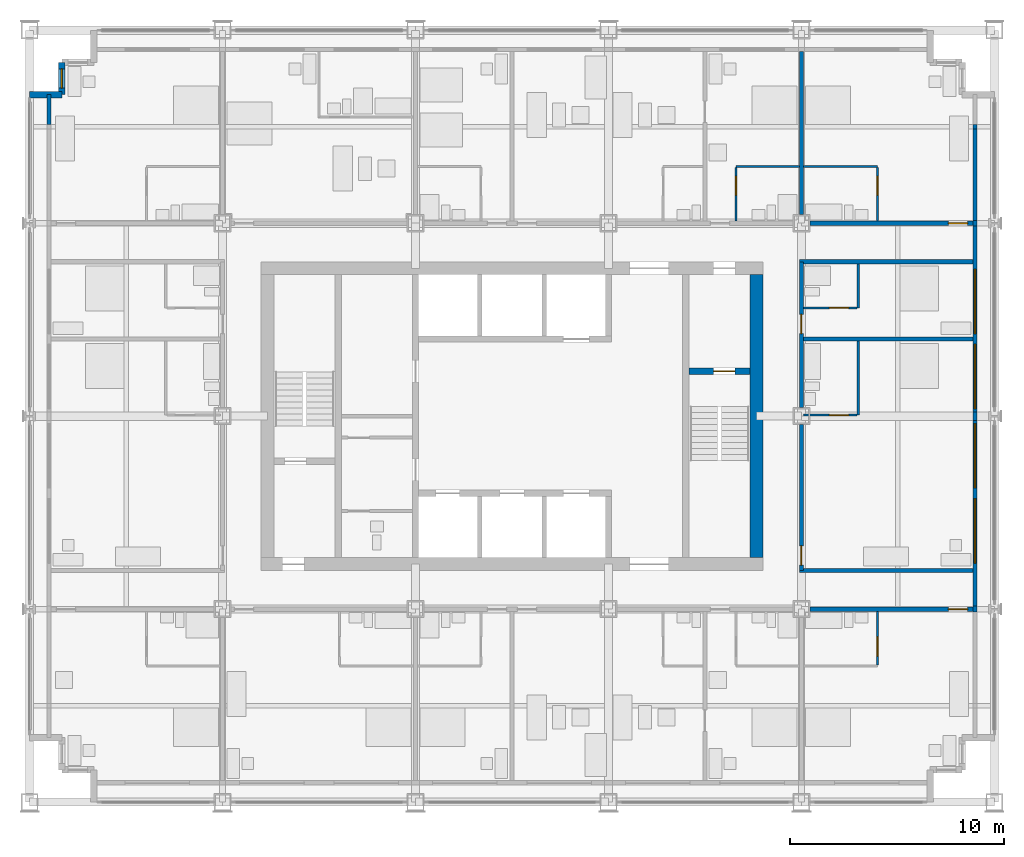
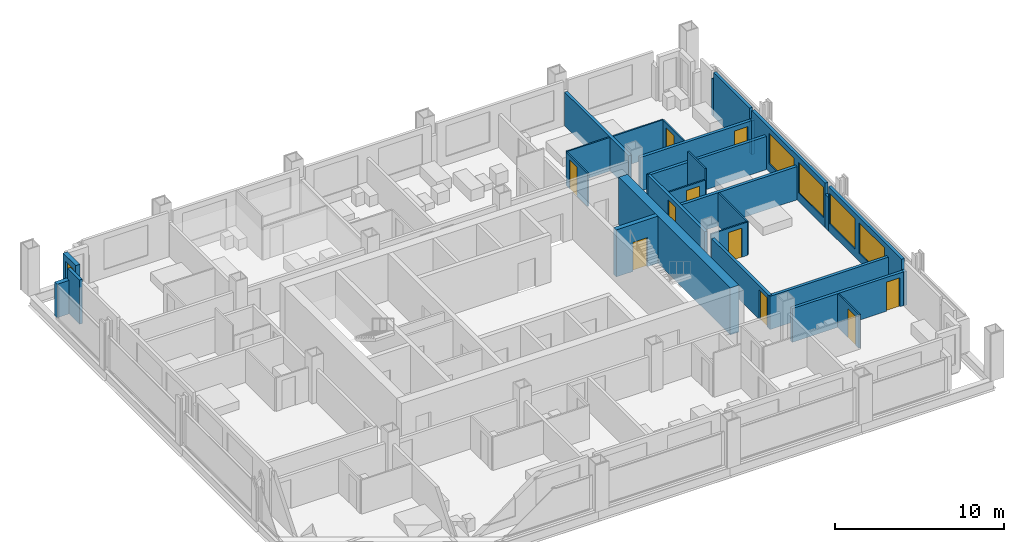
# One storey, part 12 of 16: 29 walls, 10 doors, 5 windows, 15 openings.
"""IFC4 building model written with IfcOpenShell, lengths in metres."""

from ifc_helpers import new_model, si_unit, direction, frame, frame_2d, origin, place, context, subcontext, project, spatial, rectangle, extrude, material, layer, layer_set, type_object, element, fill, save


model = new_model("IFC4")

# Units and contexts
model_context = context("Model", 3, precision=1e-05, world=origin(), true_north=direction((0.0, 1.0)))
body_context = subcontext(model_context, "Body", "Model", "MODEL_VIEW")
ifc_project = project(units=[si_unit("LENGTHUNIT", "METRE"), si_unit("AREAUNIT", "SQUARE_METRE"), si_unit("VOLUMEUNIT", "CUBIC_METRE"), si_unit("PLANEANGLEUNIT", "RADIAN"), si_unit("MASSUNIT", "GRAM", prefix="KILO")], contexts=[model_context])

# Site, building, storey
site_placement = place(None, origin())
site = spatial("IfcSite", under=ifc_project, at=site_placement, CompositionType="ELEMENT")
building_placement = place(site_placement, origin())
building = spatial("IfcBuilding", under=site, at=building_placement, Name="Loomwork Tower", CompositionType="ELEMENT")
storey_placement = place(building_placement, frame((0.0, 0.0, 148.60009765625)))
storey = spatial("IfcBuildingStorey", under=building, at=storey_placement, Name="L40", CompositionType="ELEMENT", Elevation=148.60009765625)

# Wall, opening, door
ifc_material_1 = material(Name="Concrete 14000 psi (97 MPa)", Category="concrete")
ifc_layer_1 = layer(ifc_material_1, 0.300048828125)
ifc_layer_set_1 = layer_set([ifc_layer_1], Name="Core shear wall 300")
wall_type_1 = type_object("IfcWallType", Name="Core shear wall 300", PredefinedType="SHEAR", material=ifc_layer_set_1)
wall_1_placement = place(storey_placement, frame((30.75, 20.10009765625, 0.0), z_axis=(0.0, 0.0, 1.0), x_axis=(1.0, 0.0, 0.0)))
wall_1 = element("IfcWall", 1, at=wall_1_placement, inside=storey, type_object=wall_type_1, Name="Stair B north wall L40", PredefinedType="SHEAR", context=body_context, shape_type="SweptSolid", body=[
    extrude(rectangle(XDim=2.85009765625, YDim=0.300048828125, at=frame_2d((1.425048828125, 0.0))), origin(), (0.0, 0.0, 1.0), 3.39990234375),
])
opening_1_placement = place(wall_1_placement, frame((1.14990234375, 0.0, 0.0)))
opening_1 = element("IfcOpeningElement", 2, at=opening_1_placement, cuts=wall_1, Name="Opening D4", PredefinedType="OPENING", context=body_context, shape_type="SweptSolid", body=[
    extrude(rectangle(XDim=1.0, YDim=2.10009765625, at=frame_2d((0.5, 1.050048828125))), frame((0.0, 0.159912109375, 0.0), z_axis=(0.0, -1.0, 0.0), x_axis=(1.0, 0.0, 0.0)), (0.0, 0.0, 1.0), 0.320068359375),
])
ifc_material_2 = material(Name="Hollow metal door and frame")
door_type_1 = type_object("IfcDoorType", Name="Stair door 1000", OperationType="SINGLE_SWING_RIGHT", PredefinedType="DOOR", material=ifc_material_2)
door_1_placement = place(opening_1_placement, frame((1.0, 0.0, 0.0), z_axis=(0.0, 0.0, 1.0), x_axis=(-1.0, 0.0, 0.0)))
door_1 = element("IfcDoor", 3, at=door_1_placement, inside=storey, type_object=door_type_1, Name="Stair B door", OperationType="SINGLE_SWING_LEFT", OverallHeight=2.10009765625, OverallWidth=1.0, PredefinedType="DOOR", context=body_context, shape_type="SweptSolid", body=[
    extrude(rectangle(XDim=1.0, YDim=2.10009765625, at=frame_2d((0.5, 1.050048828125))), frame((0.0, 0.02490234375, 0.0), z_axis=(0.0, -1.0, 0.0), x_axis=(1.0, 0.0, 0.0)), (0.0, 0.0, 1.0), 0.050048828125),
])
fill(opening_1, door_1)

# Wall
ifc_material_3 = material(Name="Concrete 14000 psi (97 MPa)", Category="concrete")
ifc_layer_2 = layer(ifc_material_3, 0.60009765625)
ifc_layer_set_2 = layer_set([ifc_layer_2], Name="Core shear wall 600")
wall_type_2 = type_object("IfcWallType", Name="Core shear wall 600", PredefinedType="SHEAR", material=ifc_layer_set_2)
wall_2_placement = place(storey_placement, frame((33.89990234375, 11.39990234375, 0.0), z_axis=(0.0, 0.0, 1.0), x_axis=(0.0, 1.0, 0.0)))
element("IfcWall", 4, at=wall_2_placement, inside=storey, type_object=wall_type_2, Name="Core wall east L40", PredefinedType="SHEAR", context=body_context, shape_type="SweptSolid", body=[
    extrude(rectangle(XDim=13.2001953125, YDim=0.60009765625, at=frame_2d((6.60009765625, 0.0))), origin(), (0.0, 0.0, 1.0), 3.39990234375),
])

# Wall, opening, door
ifc_material_4 = material(Name="Gypsum board on steel studs, one-hour", Category="steel")
ifc_layer_3 = layer(ifc_material_4, 0.199951171875)
ifc_layer_set_3 = layer_set([ifc_layer_3], Name="Corridor wall 200")
wall_type_3 = type_object("IfcWallType", Name="Corridor wall 200", PredefinedType="PARTITIONING", material=ifc_layer_set_3)
wall_3_placement = place(storey_placement, frame((36.39990234375, 9.0, 0.0), z_axis=(0.0, 0.0, 1.0), x_axis=(1.0, 0.0, 0.0)))
wall_3 = element("IfcWall", 5, at=wall_3_placement, inside=storey, type_object=wall_type_3, Name="South corridor wall 5", PredefinedType="PARTITIONING", context=body_context, shape_type="SweptSolid", body=[
    extrude(rectangle(XDim=7.60009765625, YDim=0.199951171875, at=frame_2d((3.800048828125, 0.0))), origin(), (0.0, 0.0, 1.0), 2.43798828125),
])
opening_2_placement = place(wall_3_placement, frame((6.449951171875, 0.0, 0.0)))
opening_2 = element("IfcOpeningElement", 6, at=opening_2_placement, cuts=wall_3, Name="Opening D1", PredefinedType="OPENING", context=body_context, shape_type="SweptSolid", body=[
    extrude(rectangle(XDim=0.89990234375, YDim=2.10009765625, at=frame_2d((0.449951171875, 1.050048828125))), frame((0.0, 0.10986328125, 0.0), z_axis=(0.0, -1.0, 0.0), x_axis=(1.0, 0.0, 0.0)), (0.0, 0.0, 1.0), 0.219970703125),
])
ifc_material_5 = material(Name="Hollow metal door and frame")
door_type_2 = type_object("IfcDoorType", Name="Guest room entry door 900", OperationType="SINGLE_SWING_LEFT", PredefinedType="DOOR", material=ifc_material_5)
door_2_placement = place(opening_2_placement, frame((0.89990234375, 0.0, 0.0), z_axis=(0.0, 0.0, 1.0), x_axis=(-1.0, 0.0, 0.0)))
door_2 = element("IfcDoor", 7, at=door_2_placement, inside=storey, type_object=door_type_2, Name="Guest room entry door L40 6", OperationType="SINGLE_SWING_LEFT", OverallHeight=2.10009765625, OverallWidth=0.89990234375, PredefinedType="DOOR", context=body_context, shape_type="SweptSolid", body=[
    extrude(rectangle(XDim=0.89990234375, YDim=2.10009765625, at=frame_2d((0.449951171875, 1.050048828125))), frame((0.0, 0.02490234375, 0.0), z_axis=(0.0, -1.0, 0.0), x_axis=(1.0, 0.0, 0.0)), (0.0, 0.0, 1.0), 0.050048828125),
])
fill(opening_2, door_2)

wall_4_placement = place(storey_placement, frame((36.39990234375, 27.0, 0.0), z_axis=(0.0, 0.0, 1.0), x_axis=(1.0, 0.0, 0.0)))
wall_4 = element("IfcWall", 8, at=wall_4_placement, inside=storey, type_object=wall_type_3, Name="North corridor wall 5", PredefinedType="PARTITIONING", context=body_context, shape_type="SweptSolid", body=[
    extrude(rectangle(XDim=7.60009765625, YDim=0.199951171875, at=frame_2d((3.800048828125, 0.0))), origin(), (0.0, 0.0, 1.0), 2.43798828125),
])
opening_3_placement = place(wall_4_placement, frame((6.449951171875, 0.0, 0.0)))
opening_3 = element("IfcOpeningElement", 9, at=opening_3_placement, cuts=wall_4, Name="Opening D1", PredefinedType="OPENING", context=body_context, shape_type="SweptSolid", body=[
    extrude(rectangle(XDim=0.89990234375, YDim=2.10009765625, at=frame_2d((0.449951171875, 1.050048828125))), frame((0.0, 0.10986328125, 0.0), z_axis=(0.0, -1.0, 0.0), x_axis=(1.0, 0.0, 0.0)), (0.0, 0.0, 1.0), 0.219970703125),
])
door_3_placement = place(opening_3_placement, origin())
door_3 = element("IfcDoor", 10, at=door_3_placement, inside=storey, type_object=door_type_2, Name="Guest room entry door L40 12", OperationType="SINGLE_SWING_RIGHT", OverallHeight=2.10009765625, OverallWidth=0.89990234375, PredefinedType="DOOR", context=body_context, shape_type="SweptSolid", body=[
    extrude(rectangle(XDim=0.89990234375, YDim=2.10009765625, at=frame_2d((0.449951171875, 1.050048828125))), frame((0.0, 0.02490234375, 0.0), z_axis=(0.0, -1.0, 0.0), x_axis=(1.0, 0.0, 0.0)), (0.0, 0.0, 1.0), 0.050048828125),
])
fill(opening_3, door_3)

wall_5_placement = place(storey_placement, frame((36.0, 10.800048828125, 0.0), z_axis=(0.0, 0.0, 1.0), x_axis=(0.0, 1.0, 0.0)))
wall_5 = element("IfcWall", 11, at=wall_5_placement, inside=storey, type_object=wall_type_3, Name="East corridor wall 1", PredefinedType="PARTITIONING", context=body_context, shape_type="SweptSolid", body=[
    extrude(rectangle(XDim=6.800048828125, YDim=0.199951171875, at=frame_2d((3.39990234375, 0.0))), origin(), (0.0, 0.0, 1.0), 2.40478515625),
])
opening_4_placement = place(wall_5_placement, frame((0.25, 0.0, 0.0)))
opening_4 = element("IfcOpeningElement", 12, at=opening_4_placement, cuts=wall_5, Name="Opening D1", PredefinedType="OPENING", context=body_context, shape_type="SweptSolid", body=[
    extrude(rectangle(XDim=0.89990234375, YDim=2.10009765625, at=frame_2d((0.449951171875, 1.050048828125))), frame((0.0, 0.10986328125, 0.0), z_axis=(0.0, -1.0, 0.0), x_axis=(1.0, 0.0, 0.0)), (0.0, 0.0, 1.0), 0.219970703125),
])
door_4_placement = place(opening_4_placement, frame((0.89990234375, 0.0, 0.0), z_axis=(0.0, 0.0, 1.0), x_axis=(-1.0, 0.0, 0.0)))
door_4 = element("IfcDoor", 13, at=door_4_placement, inside=storey, type_object=door_type_2, Name="Guest room entry door L40 15", OperationType="SINGLE_SWING_RIGHT", OverallHeight=2.10009765625, OverallWidth=0.89990234375, PredefinedType="DOOR", context=body_context, shape_type="SweptSolid", body=[
    extrude(rectangle(XDim=0.89990234375, YDim=2.10009765625, at=frame_2d((0.449951171875, 1.050048828125))), frame((0.0, 0.02490234375, 0.0), z_axis=(0.0, -1.0, 0.0), x_axis=(1.0, 0.0, 0.0)), (0.0, 0.0, 1.0), 0.050048828125),
])
fill(opening_4, door_4)

wall_6_placement = place(storey_placement, frame((36.0, 18.39990234375, 0.0), z_axis=(0.0, 0.0, 1.0), x_axis=(0.0, 1.0, 0.0)))
wall_6 = element("IfcWall", 14, at=wall_6_placement, inside=storey, type_object=wall_type_3, Name="East corridor wall 2", PredefinedType="PARTITIONING", context=body_context, shape_type="SweptSolid", body=[
    extrude(rectangle(XDim=6.800048828125, YDim=0.199951171875, at=frame_2d((3.39990234375, 0.0))), origin(), (0.0, 0.0, 1.0), 2.40478515625),
])
opening_5_placement = place(wall_6_placement, frame((3.449951171875, 0.0, 0.0)))
opening_5 = element("IfcOpeningElement", 15, at=opening_5_placement, cuts=wall_6, Name="Opening D1", PredefinedType="OPENING", context=body_context, shape_type="SweptSolid", body=[
    extrude(rectangle(XDim=0.89990234375, YDim=2.10009765625, at=frame_2d((0.449951171875, 1.050048828125))), frame((0.0, 0.10986328125, 0.0), z_axis=(0.0, -1.0, 0.0), x_axis=(1.0, 0.0, 0.0)), (0.0, 0.0, 1.0), 0.219970703125),
])
door_5_placement = place(opening_5_placement, frame((0.89990234375, 0.0, 0.0), z_axis=(0.0, 0.0, 1.0), x_axis=(-1.0, 0.0, 0.0)))
door_5 = element("IfcDoor", 16, at=door_5_placement, inside=storey, type_object=door_type_2, Name="Guest room entry door L40 16", OperationType="SINGLE_SWING_RIGHT", OverallHeight=2.10009765625, OverallWidth=0.89990234375, PredefinedType="DOOR", context=body_context, shape_type="SweptSolid", body=[
    extrude(rectangle(XDim=0.89990234375, YDim=2.10009765625, at=frame_2d((0.449951171875, 1.050048828125))), frame((0.0, 0.02490234375, 0.0), z_axis=(0.0, -1.0, 0.0), x_axis=(1.0, 0.0, 0.0)), (0.0, 0.0, 1.0), 0.050048828125),
])
fill(opening_5, door_5)

# Walls
for number, where, z_axis, x_axis, name in (
    (17, (35.89990234375, 10.800048828125, 0.0), (0.0, 0.0, 1.0), (1.0, 0.0, 0.0), "East band end wall S"),
    (18, (35.89990234375, 25.199951171875, 0.0), (0.0, 0.0, 1.0), (1.0, 0.0, 0.0), "East band end wall N"),
):
    element("IfcWall", number, at=place(storey_placement, frame(where, z_axis=z_axis, x_axis=x_axis)), inside=storey, type_object=wall_type_3, Name=name, PredefinedType="PARTITIONING", context=body_context, shape_type="SweptSolid", body=[
        extrude(rectangle(XDim=8.10009765625, YDim=0.199951171875, at=frame_2d((4.050048828125, 0.0))), origin(), (0.0, 0.0, 1.0), 2.40380859375),
    ])

# Wall, opening, door
ifc_material_6 = material(Name="Cement board on steel studs", Category="steel")
ifc_layer_4 = layer(ifc_material_6, 0.10009765625)
ifc_layer_set_4 = layer_set([ifc_layer_4], Name="En-suite partition 100")
wall_type_4 = type_object("IfcWallType", Name="En-suite partition 100", PredefinedType="PARTITIONING", material=ifc_layer_set_4)
wall_7_placement = place(storey_placement, frame((39.550048828125, 8.89990234375, 0.0), z_axis=(0.0, 0.0, 1.0), x_axis=(0.0, -1.0, 0.0)))
wall_7 = element("IfcWall", 19, at=wall_7_placement, inside=storey, type_object=wall_type_4, Name="En-suite side wall L40 room 6", PredefinedType="PARTITIONING", context=body_context, shape_type="SweptSolid", body=[
    extrude(rectangle(XDim=2.5, YDim=0.10009765625, at=frame_2d((1.25, 0.0))), origin(), (0.0, 0.0, 1.0), 2.43798828125),
])
opening_6_placement = place(wall_7_placement, frame((1.199951171875, 0.0, 0.0)))
opening_6 = element("IfcOpeningElement", 20, at=opening_6_placement, cuts=wall_7, Name="Opening D2", PredefinedType="OPENING", context=body_context, shape_type="SweptSolid", body=[
    extrude(rectangle(XDim=0.89990234375, YDim=2.10009765625, at=frame_2d((0.449951171875, 1.050048828125))), frame((0.0, 0.06005859375, 0.0), z_axis=(0.0, -1.0, 0.0), x_axis=(1.0, 0.0, 0.0)), (0.0, 0.0, 1.0), 0.1201171875),
])
ifc_material_7 = material(Name="Hollow metal door and frame")
door_type_3 = type_object("IfcDoorType", Name="En-suite door 900", OperationType="SINGLE_SWING_LEFT", PredefinedType="DOOR", material=ifc_material_7)
door_6_placement = place(opening_6_placement, frame((0.89990234375, 0.0, 0.0), z_axis=(0.0, 0.0, 1.0), x_axis=(-1.0, 0.0, 0.0)))
door_6 = element("IfcDoor", 21, at=door_6_placement, inside=storey, type_object=door_type_3, Name="En-suite door room 6", OperationType="SINGLE_SWING_LEFT", OverallHeight=2.10009765625, OverallWidth=0.89990234375, PredefinedType="DOOR", context=body_context, shape_type="SweptSolid", body=[
    extrude(rectangle(XDim=0.89990234375, YDim=2.10009765625, at=frame_2d((0.449951171875, 1.050048828125))), frame((0.0, 0.02490234375, 0.0), z_axis=(0.0, -1.0, 0.0), x_axis=(1.0, 0.0, 0.0)), (0.0, 0.0, 1.0), 0.050048828125),
])
fill(opening_6, door_6)

# Wall
wall_8_placement = place(storey_placement, frame((32.949951171875, 29.64990234375, 0.0), z_axis=(0.0, 0.0, 1.0), x_axis=(1.0, 0.0, 0.0)))
element("IfcWall", 22, at=wall_8_placement, inside=storey, type_object=wall_type_4, Name="En-suite wall L40 room 11", PredefinedType="PARTITIONING", context=body_context, shape_type="SweptSolid", body=[
    extrude(rectangle(XDim=2.949951171875, YDim=0.10009765625, at=frame_2d((1.47509765625, 0.0))), origin(), (0.0, 0.0, 1.0), 2.43798828125),
])

# Wall, opening, door
wall_9_placement = place(storey_placement, frame((32.949951171875, 27.10009765625, 0.0), z_axis=(0.0, 0.0, 1.0), x_axis=(0.0, 1.0, 0.0)))
wall_9 = element("IfcWall", 23, at=wall_9_placement, inside=storey, type_object=wall_type_4, Name="En-suite side wall L40 room 11", PredefinedType="PARTITIONING", context=body_context, shape_type="SweptSolid", body=[
    extrude(rectangle(XDim=2.5, YDim=0.10009765625, at=frame_2d((1.25, 0.0))), origin(), (0.0, 0.0, 1.0), 2.40380859375),
])
opening_7_placement = place(wall_9_placement, frame((1.199951171875, 0.0, 0.0)))
opening_7 = element("IfcOpeningElement", 24, at=opening_7_placement, cuts=wall_9, Name="Opening D2", PredefinedType="OPENING", context=body_context, shape_type="SweptSolid", body=[
    extrude(rectangle(XDim=0.89990234375, YDim=2.10009765625, at=frame_2d((0.449951171875, 1.050048828125))), frame((0.0, 0.06005859375, 0.0), z_axis=(0.0, -1.0, 0.0), x_axis=(1.0, 0.0, 0.0)), (0.0, 0.0, 1.0), 0.1201171875),
])
door_7_placement = place(opening_7_placement, frame((0.89990234375, 0.0, 0.0), z_axis=(0.0, 0.0, 1.0), x_axis=(-1.0, 0.0, 0.0)))
door_7 = element("IfcDoor", 25, at=door_7_placement, inside=storey, type_object=door_type_3, Name="En-suite door room 11", OperationType="SINGLE_SWING_LEFT", OverallHeight=2.10009765625, OverallWidth=0.89990234375, PredefinedType="DOOR", context=body_context, shape_type="SweptSolid", body=[
    extrude(rectangle(XDim=0.89990234375, YDim=2.10009765625, at=frame_2d((0.449951171875, 1.050048828125))), frame((0.0, 0.02490234375, 0.0), z_axis=(0.0, -1.0, 0.0), x_axis=(1.0, 0.0, 0.0)), (0.0, 0.0, 1.0), 0.050048828125),
])
fill(opening_7, door_7)

# Wall
wall_10_placement = place(storey_placement, frame((36.10009765625, 29.64990234375, 0.0), z_axis=(0.0, 0.0, 1.0), x_axis=(1.0, 0.0, 0.0)))
element("IfcWall", 26, at=wall_10_placement, inside=storey, type_object=wall_type_4, Name="En-suite wall L40 room 12", PredefinedType="PARTITIONING", context=body_context, shape_type="SweptSolid", body=[
    extrude(rectangle(XDim=3.449951171875, YDim=0.10009765625, at=frame_2d((1.72509765625, 0.0))), origin(), (0.0, 0.0, 1.0), 2.43798828125),
])

# Wall, opening, door
wall_11_placement = place(storey_placement, frame((39.550048828125, 27.10009765625, 0.0), z_axis=(0.0, 0.0, 1.0), x_axis=(0.0, 1.0, 0.0)))
wall_11 = element("IfcWall", 27, at=wall_11_placement, inside=storey, type_object=wall_type_4, Name="En-suite side wall L40 room 12", PredefinedType="PARTITIONING", context=body_context, shape_type="SweptSolid", body=[
    extrude(rectangle(XDim=2.5, YDim=0.10009765625, at=frame_2d((1.25, 0.0))), origin(), (0.0, 0.0, 1.0), 2.43798828125),
])
opening_8_placement = place(wall_11_placement, frame((1.199951171875, 0.0, 0.0)))
opening_8 = element("IfcOpeningElement", 28, at=opening_8_placement, cuts=wall_11, Name="Opening D2", PredefinedType="OPENING", context=body_context, shape_type="SweptSolid", body=[
    extrude(rectangle(XDim=0.89990234375, YDim=2.10009765625, at=frame_2d((0.449951171875, 1.050048828125))), frame((0.0, 0.06005859375, 0.0), z_axis=(0.0, -1.0, 0.0), x_axis=(1.0, 0.0, 0.0)), (0.0, 0.0, 1.0), 0.1201171875),
])
door_8_placement = place(opening_8_placement, origin())
door_8 = element("IfcDoor", 29, at=door_8_placement, inside=storey, type_object=door_type_3, Name="En-suite door room 12", OperationType="SINGLE_SWING_RIGHT", OverallHeight=2.10009765625, OverallWidth=0.89990234375, PredefinedType="DOOR", context=body_context, shape_type="SweptSolid", body=[
    extrude(rectangle(XDim=0.89990234375, YDim=2.10009765625, at=frame_2d((0.449951171875, 1.050048828125))), frame((0.0, 0.02490234375, 0.0), z_axis=(0.0, -1.0, 0.0), x_axis=(1.0, 0.0, 0.0)), (0.0, 0.0, 1.0), 0.050048828125),
])
fill(opening_8, door_8)

# Wall
wall_12_placement = place(storey_placement, frame((38.64990234375, 18.050048828125, 0.0), z_axis=(0.0, 0.0, 1.0), x_axis=(0.0, 1.0, 0.0)))
element("IfcWall", 30, at=wall_12_placement, inside=storey, type_object=wall_type_4, Name="En-suite wall L40 room 15", PredefinedType="PARTITIONING", context=body_context, shape_type="SweptSolid", body=[
    extrude(rectangle(XDim=3.449951171875, YDim=0.10009765625, at=frame_2d((1.72509765625, 0.0))), origin(), (0.0, 0.0, 1.0), 2.40380859375),
])

# Wall, opening, door
wall_13_placement = place(storey_placement, frame((36.10009765625, 18.050048828125, 0.0), z_axis=(0.0, 0.0, 1.0), x_axis=(1.0, 0.0, 0.0)))
wall_13 = element("IfcWall", 31, at=wall_13_placement, inside=storey, type_object=wall_type_4, Name="En-suite side wall L40 room 15", PredefinedType="PARTITIONING", context=body_context, shape_type="SweptSolid", body=[
    extrude(rectangle(XDim=2.5, YDim=0.10009765625, at=frame_2d((1.25, 0.0))), origin(), (0.0, 0.0, 1.0), 2.40478515625),
])
opening_9_placement = place(wall_13_placement, frame((1.199951171875, 0.0, 0.0)))
opening_9 = element("IfcOpeningElement", 32, at=opening_9_placement, cuts=wall_13, Name="Opening D2", PredefinedType="OPENING", context=body_context, shape_type="SweptSolid", body=[
    extrude(rectangle(XDim=0.89990234375, YDim=2.10009765625, at=frame_2d((0.449951171875, 1.050048828125))), frame((0.0, 0.06005859375, 0.0), z_axis=(0.0, -1.0, 0.0), x_axis=(1.0, 0.0, 0.0)), (0.0, 0.0, 1.0), 0.1201171875),
])
door_9_placement = place(opening_9_placement, origin())
door_9 = element("IfcDoor", 33, at=door_9_placement, inside=storey, type_object=door_type_3, Name="En-suite door room 15", OperationType="SINGLE_SWING_RIGHT", OverallHeight=2.10009765625, OverallWidth=0.89990234375, PredefinedType="DOOR", context=body_context, shape_type="SweptSolid", body=[
    extrude(rectangle(XDim=0.89990234375, YDim=2.10009765625, at=frame_2d((0.449951171875, 1.050048828125))), frame((0.0, 0.02490234375, 0.0), z_axis=(0.0, -1.0, 0.0), x_axis=(1.0, 0.0, 0.0)), (0.0, 0.0, 1.0), 0.050048828125),
])
fill(opening_9, door_9)

# Wall
wall_14_placement = place(storey_placement, frame((38.64990234375, 23.050048828125, 0.0), z_axis=(0.0, 0.0, 1.0), x_axis=(0.0, 1.0, 0.0)))
element("IfcWall", 34, at=wall_14_placement, inside=storey, type_object=wall_type_4, Name="En-suite wall L40 room 16", PredefinedType="PARTITIONING", context=body_context, shape_type="SweptSolid", body=[
    extrude(rectangle(XDim=2.050048828125, YDim=0.10009765625, at=frame_2d((1.02490234375, 0.0))), origin(), (0.0, 0.0, 1.0), 3.199951171875),
])

# Wall, opening, door
wall_15_placement = place(storey_placement, frame((36.10009765625, 23.050048828125, 0.0), z_axis=(0.0, 0.0, 1.0), x_axis=(1.0, 0.0, 0.0)))
wall_15 = element("IfcWall", 35, at=wall_15_placement, inside=storey, type_object=wall_type_4, Name="En-suite side wall L40 room 16", PredefinedType="PARTITIONING", context=body_context, shape_type="SweptSolid", body=[
    extrude(rectangle(XDim=2.5, YDim=0.10009765625, at=frame_2d((1.25, 0.0))), origin(), (0.0, 0.0, 1.0), 2.40380859375),
])
opening_10_placement = place(wall_15_placement, frame((1.199951171875, 0.0, 0.0)))
opening_10 = element("IfcOpeningElement", 36, at=opening_10_placement, cuts=wall_15, Name="Opening D3", PredefinedType="OPENING", context=body_context, shape_type="SweptSolid", body=[
    extrude(rectangle(XDim=0.89990234375, YDim=2.10009765625, at=frame_2d((0.449951171875, 1.050048828125))), frame((0.0, 0.06005859375, 0.0), z_axis=(0.0, -1.0, 0.0), x_axis=(1.0, 0.0, 0.0)), (0.0, 0.0, 1.0), 0.1201171875),
])
ifc_material_8 = material(Name="Hollow metal door and frame")
door_type_4 = type_object("IfcDoorType", Name="Accessible en-suite door 900", OperationType="SLIDING_TO_LEFT", PredefinedType="DOOR", material=ifc_material_8)
door_10_placement = place(opening_10_placement, origin())
door_10 = element("IfcDoor", 37, at=door_10_placement, inside=storey, type_object=door_type_4, Name="Accessible en-suite door room 16", OperationType="SLIDING_TO_LEFT", OverallHeight=2.10009765625, OverallWidth=0.89990234375, PredefinedType="DOOR", context=body_context, shape_type="SweptSolid", body=[
    extrude(rectangle(XDim=0.89990234375, YDim=2.10009765625, at=frame_2d((0.449951171875, 1.050048828125))), frame((0.0, 0.02490234375, 0.0), z_axis=(0.0, -1.0, 0.0), x_axis=(1.0, 0.0, 0.0)), (0.0, 0.0, 1.0), 0.050048828125),
])
fill(opening_10, door_10)

# Walls
ifc_material_9 = material(Name="Gypsum board on steel studs, acoustic", Category="steel")
ifc_layer_5 = layer(ifc_material_9, 0.199951171875)
ifc_layer_set_5 = layer_set([ifc_layer_5], Name="Guest room party wall 200")
wall_type_5 = type_object("IfcWallType", Name="Guest room party wall 200", PredefinedType="PARTITIONING", material=ifc_layer_set_5)
wall_16_placement = place(storey_placement, frame((36.0, 27.39990234375, 0.0), z_axis=(0.0, 0.0, 1.0), x_axis=(0.0, 1.0, 0.0)))
element("IfcWall", 38, at=wall_16_placement, inside=storey, type_object=wall_type_5, Name="Guest room party wall N 36", PredefinedType="PARTITIONING", context=body_context, shape_type="SweptSolid", body=[
    extrude(rectangle(XDim=7.60009765625, YDim=0.199951171875, at=frame_2d((3.800048828125, 0.0))), origin(), (0.0, 0.0, 1.0), 2.43798828125),
])
wall_17_placement = place(storey_placement, frame((36.10009765625, 21.60009765625, 0.0), z_axis=(0.0, 0.0, 1.0), x_axis=(1.0, 0.0, 0.0)))
element("IfcWall", 39, at=wall_17_placement, inside=storey, type_object=wall_type_5, Name="Guest room party wall E 21.6", PredefinedType="PARTITIONING", context=body_context, shape_type="SweptSolid", body=[
    extrude(rectangle(XDim=7.89990234375, YDim=0.199951171875, at=frame_2d((3.949951171875, 0.0))), origin(), (0.0, 0.0, 1.0), 2.40380859375),
])
ifc_material_10 = material(Name="Insulated steel stud wall with gypsum lining", Category="steel")
ifc_layer_6 = layer(ifc_material_10, 0.199951171875)
ifc_layer_set_6 = layer_set([ifc_layer_6], Name="Inner skin wall 200")
wall_type_6 = type_object("IfcWallType", Name="Inner skin wall 200", PredefinedType="SOLIDWALL", material=ifc_layer_set_6)
wall_18_placement = place(storey_placement, frame((0.89990234375, 31.607421875, 0.0), z_axis=(0.0, 0.0, 1.0), x_axis=(0.0, 1.0, 0.0)))
element("IfcWall", 40, at=wall_18_placement, inside=storey, type_object=wall_type_6, Name="Inner skin wall W bay 11", PredefinedType="SOLIDWALL", context=body_context, shape_type="SweptSolid", body=[
    extrude(rectangle(XDim=1.392578125, YDim=0.199951171875, at=frame_2d((0.6962890625, 0.0))), origin(), (0.0, 0.0, 1.0), 3.199951171875),
])
wall_19_placement = place(storey_placement, frame((44.10009765625, 8.86474609375, 0.0), z_axis=(0.0, 0.0, 1.0), x_axis=(0.0, 1.0, 0.0)))
element("IfcWall", 41, at=wall_19_placement, inside=storey, type_object=wall_type_6, Name="Inner skin wall E bay 4", PredefinedType="SOLIDWALL", context=body_context, shape_type="SweptSolid", body=[
    extrude(rectangle(XDim=0.2705078125, YDim=0.199951171875, at=frame_2d((0.13525390625, 0.0))), origin(), (0.0, 0.0, 1.0), 2.43798828125),
])

# Wall, openings, windows
wall_20_placement = place(storey_placement, frame((44.10009765625, 9.13525390625, 0.0), z_axis=(0.0, 0.0, 1.0), x_axis=(0.0, 1.0, 0.0)))
wall_20 = element("IfcWall", 42, at=wall_20_placement, inside=storey, type_object=wall_type_6, Name="Inner skin wall E bay 5", PredefinedType="SOLIDWALL", context=body_context, shape_type="SweptSolid", body=[
    extrude(rectangle(XDim=8.6708984375, YDim=0.199951171875, at=frame_2d((4.33544921875, 0.0))), origin(), (0.0, 0.0, 1.0), 3.199951171875),
])
opening_11_placement = place(wall_20_placement, frame((2.0146484375, 0.0, 0.60009765625)))
opening_11 = element("IfcOpeningElement", 43, at=opening_11_placement, cuts=wall_20, Name="Opening CH1", PredefinedType="OPENING", context=body_context, shape_type="SweptSolid", body=[
    extrude(rectangle(XDim=3.0, YDim=2.199951171875, at=frame_2d((1.5, 1.10009765625))), frame((0.0, 0.10986328125, 0.0), z_axis=(0.0, -1.0, 0.0), x_axis=(1.0, 0.0, 0.0)), (0.0, 0.0, 1.0), 0.219970703125),
])
opening_12_placement = place(wall_20_placement, frame((5.5146484375, 0.0, 0.60009765625)))
opening_12 = element("IfcOpeningElement", 44, at=opening_12_placement, cuts=wall_20, Name="Opening CH1", PredefinedType="OPENING", context=body_context, shape_type="SweptSolid", body=[
    extrude(rectangle(XDim=3.0, YDim=2.199951171875, at=frame_2d((1.5, 1.10009765625))), frame((0.0, 0.10986328125, 0.0), z_axis=(0.0, -1.0, 0.0), x_axis=(1.0, 0.0, 0.0)), (0.0, 0.0, 1.0), 0.219970703125),
])
ifc_material_11 = material(Name="Aluminium frame with clear insulated glass", Category="aluminium")
window_type_1 = type_object("IfcWindowType", Name="Chicago window 3000", PartitioningType="TRIPLE_PANEL_VERTICAL", PredefinedType="WINDOW", material=ifc_material_11)
window_1_placement = place(opening_11_placement, origin())
window_1 = element("IfcWindow", 45, at=window_1_placement, inside=storey, type_object=window_type_1, Name="Chicago window L40 bay 13", OverallHeight=2.199951171875, OverallWidth=3.0, PartitioningType="TRIPLE_PANEL_VERTICAL", PredefinedType="WINDOW", context=body_context, shape_type="SweptSolid", body=[
    extrude(rectangle(XDim=3.0, YDim=2.199951171875, at=frame_2d((1.5, 1.10009765625))), frame((0.0, 0.030029296875, 0.0), z_axis=(0.0, -1.0, 0.0), x_axis=(1.0, 0.0, 0.0)), (0.0, 0.0, 1.0), 0.06005859375),
])
fill(opening_11, window_1)
window_2_placement = place(opening_12_placement, origin())
window_2 = element("IfcWindow", 46, at=window_2_placement, inside=storey, type_object=window_type_1, Name="Chicago window L40 bay 13", OverallHeight=2.199951171875, OverallWidth=3.0, PartitioningType="TRIPLE_PANEL_VERTICAL", PredefinedType="WINDOW", context=body_context, shape_type="SweptSolid", body=[
    extrude(rectangle(XDim=3.0, YDim=2.199951171875, at=frame_2d((1.5, 1.10009765625))), frame((0.0, 0.030029296875, 0.0), z_axis=(0.0, -1.0, 0.0), x_axis=(1.0, 0.0, 0.0)), (0.0, 0.0, 1.0), 0.06005859375),
])
fill(opening_12, window_2)

# Wall
wall_21_placement = place(storey_placement, frame((44.10009765625, 17.80615234375, 0.0), z_axis=(0.0, 0.0, 1.0), x_axis=(0.0, 1.0, 0.0)))
element("IfcWall", 47, at=wall_21_placement, inside=storey, type_object=wall_type_6, Name="Inner skin wall E bay 6", PredefinedType="SOLIDWALL", context=body_context, shape_type="SweptSolid", body=[
    extrude(rectangle(XDim=0.3876953125, YDim=0.199951171875, at=frame_2d((0.19384765625, 0.0))), origin(), (0.0, 0.0, 1.0), 2.40380859375),
])

# Wall, openings, windows
wall_22_placement = place(storey_placement, frame((44.10009765625, 18.19384765625, 0.0), z_axis=(0.0, 0.0, 1.0), x_axis=(0.0, 1.0, 0.0)))
wall_22 = element("IfcWall", 48, at=wall_22_placement, inside=storey, type_object=wall_type_6, Name="Inner skin wall E bay 7", PredefinedType="SOLIDWALL", context=body_context, shape_type="SweptSolid", body=[
    extrude(rectangle(XDim=8.6708984375, YDim=0.199951171875, at=frame_2d((4.33544921875, 0.0))), origin(), (0.0, 0.0, 1.0), 3.199951171875),
])
opening_13_placement = place(wall_22_placement, frame((0.15625, 0.0, 0.60009765625)))
opening_13 = element("IfcOpeningElement", 49, at=opening_13_placement, cuts=wall_22, Name="Opening CH1", PredefinedType="OPENING", context=body_context, shape_type="SweptSolid", body=[
    extrude(rectangle(XDim=3.0, YDim=2.199951171875, at=frame_2d((1.5, 1.10009765625))), frame((0.0, 0.10986328125, 0.0), z_axis=(0.0, -1.0, 0.0), x_axis=(1.0, 0.0, 0.0)), (0.0, 0.0, 1.0), 0.219970703125),
])
opening_14_placement = place(wall_22_placement, frame((3.65625, 0.0, 0.60009765625)))
opening_14 = element("IfcOpeningElement", 50, at=opening_14_placement, cuts=wall_22, Name="Opening CH1", PredefinedType="OPENING", context=body_context, shape_type="SweptSolid", body=[
    extrude(rectangle(XDim=3.0, YDim=2.199951171875, at=frame_2d((1.5, 1.10009765625))), frame((0.0, 0.10986328125, 0.0), z_axis=(0.0, -1.0, 0.0), x_axis=(1.0, 0.0, 0.0)), (0.0, 0.0, 1.0), 0.219970703125),
])
window_3_placement = place(opening_13_placement, origin())
window_3 = element("IfcWindow", 51, at=window_3_placement, inside=storey, type_object=window_type_1, Name="Chicago window L40 bay 14", OverallHeight=2.199951171875, OverallWidth=3.0, PartitioningType="TRIPLE_PANEL_VERTICAL", PredefinedType="WINDOW", context=body_context, shape_type="SweptSolid", body=[
    extrude(rectangle(XDim=3.0, YDim=2.199951171875, at=frame_2d((1.5, 1.10009765625))), frame((0.0, 0.030029296875, 0.0), z_axis=(0.0, -1.0, 0.0), x_axis=(1.0, 0.0, 0.0)), (0.0, 0.0, 1.0), 0.06005859375),
])
fill(opening_13, window_3)
window_4_placement = place(opening_14_placement, origin())
window_4 = element("IfcWindow", 52, at=window_4_placement, inside=storey, type_object=window_type_1, Name="Chicago window L40 bay 14", OverallHeight=2.199951171875, OverallWidth=3.0, PartitioningType="TRIPLE_PANEL_VERTICAL", PredefinedType="WINDOW", context=body_context, shape_type="SweptSolid", body=[
    extrude(rectangle(XDim=3.0, YDim=2.199951171875, at=frame_2d((1.5, 1.10009765625))), frame((0.0, 0.030029296875, 0.0), z_axis=(0.0, -1.0, 0.0), x_axis=(1.0, 0.0, 0.0)), (0.0, 0.0, 1.0), 0.06005859375),
])
fill(opening_14, window_4)

# Walls
wall_23_placement = place(storey_placement, frame((44.10009765625, 26.86474609375, 0.0), z_axis=(0.0, 0.0, 1.0), x_axis=(0.0, 1.0, 0.0)))
element("IfcWall", 53, at=wall_23_placement, inside=storey, type_object=wall_type_6, Name="Inner skin wall E bay 8", PredefinedType="SOLIDWALL", context=body_context, shape_type="SweptSolid", body=[
    extrude(rectangle(XDim=0.2705078125, YDim=0.199951171875, at=frame_2d((0.13525390625, 0.0))), origin(), (0.0, 0.0, 1.0), 2.43798828125),
])
wall_24_placement = place(storey_placement, frame((44.10009765625, 27.13525390625, 0.0), z_axis=(0.0, 0.0, 1.0), x_axis=(0.0, 1.0, 0.0)))
element("IfcWall", 54, at=wall_24_placement, inside=storey, type_object=wall_type_6, Name="Inner skin wall E bay 9", PredefinedType="SOLIDWALL", context=body_context, shape_type="SweptSolid", body=[
    extrude(rectangle(XDim=4.25732421875, YDim=0.199951171875, at=frame_2d((2.128662109375, 0.0))), origin(), (0.0, 0.0, 1.0), 3.199951171875),
])
wall_25_placement = place(storey_placement, frame((44.10009765625, 31.392578125, 0.0), z_axis=(0.0, 0.0, 1.0), x_axis=(0.0, 1.0, 0.0)))
element("IfcWall", 55, at=wall_25_placement, inside=storey, type_object=wall_type_6, Name="Inner skin wall E bay 10", PredefinedType="SOLIDWALL", context=body_context, shape_type="SweptSolid", body=[
    extrude(rectangle(XDim=0.21484375, YDim=0.199951171875, at=frame_2d((0.107421875, 0.0))), origin(), (0.0, 0.0, 1.0), 2.660888671875),
])

# Wall, opening, window
ifc_material_12 = material(Name="Limestone on concrete masonry", Category="masonry")
ifc_layer_7 = layer(ifc_material_12, 0.300048828125)
ifc_layer_set_7 = layer_set([ifc_layer_7], Name="Limestone corner wall 300")
wall_type_7 = type_object("IfcWallType", Name="Limestone corner wall 300", PredefinedType="SOLIDWALL", material=ifc_layer_set_7)
wall_26_placement = place(storey_placement, frame((1.5, 34.5, 0.0), z_axis=(0.0, 0.0, 1.0), x_axis=(0.0, -1.0, 0.0)))
wall_26 = element("IfcWall", 56, at=wall_26_placement, inside=storey, type_object=wall_type_7, Name="Stone corner wall NW 3", PredefinedType="SOLIDWALL", context=body_context, shape_type="SweptSolid", body=[
    extrude(rectangle(XDim=1.5, YDim=0.300048828125, at=frame_2d((0.75, 0.0))), origin(), (0.0, 0.0, 1.0), 3.199951171875),
])
opening_15_placement = place(wall_26_placement, frame((0.300048828125, 0.0, 0.60009765625)))
opening_15 = element("IfcOpeningElement", 57, at=opening_15_placement, cuts=wall_26, Name="Opening CH2", PredefinedType="OPENING", context=body_context, shape_type="SweptSolid", body=[
    extrude(rectangle(XDim=0.89990234375, YDim=2.199951171875, at=frame_2d((0.449951171875, 1.10009765625))), frame((0.0, 0.159912109375, 0.0), z_axis=(0.0, -1.0, 0.0), x_axis=(1.0, 0.0, 0.0)), (0.0, 0.0, 1.0), 0.320068359375),
])
ifc_material_13 = material(Name="Aluminium frame with clear insulated glass", Category="aluminium")
window_type_2 = type_object("IfcWindowType", Name="Corner window 900", PartitioningType="SINGLE_PANEL", PredefinedType="WINDOW", material=ifc_material_13)
window_5_placement = place(opening_15_placement, origin())
window_5 = element("IfcWindow", 58, at=window_5_placement, inside=storey, type_object=window_type_2, Name="Corner window NW", OverallHeight=2.199951171875, OverallWidth=0.89990234375, PartitioningType="SINGLE_PANEL", PredefinedType="WINDOW", context=body_context, shape_type="SweptSolid", body=[
    extrude(rectangle(XDim=0.89990234375, YDim=2.199951171875, at=frame_2d((0.449951171875, 1.10009765625))), frame((0.0, 0.030029296875, 0.0), z_axis=(0.0, -1.0, 0.0), x_axis=(1.0, 0.0, 0.0)), (0.0, 0.0, 1.0), 0.06005859375),
])
fill(opening_15, window_5)

# Wall
wall_27_placement = place(storey_placement, frame((1.5, 33.0, 0.0), z_axis=(0.0, 0.0, 1.0), x_axis=(-1.0, 0.0, 0.0)))
element("IfcWall", 59, at=wall_27_placement, inside=storey, type_object=wall_type_7, Name="Stone corner wall NW 4", PredefinedType="SOLIDWALL", context=body_context, shape_type="SweptSolid", body=[
    extrude(rectangle(XDim=1.5, YDim=0.300048828125, at=frame_2d((0.75, 0.0))), origin(), (0.0, 0.0, 1.0), 2.419921875),
])

save(model, "model.ifc")
